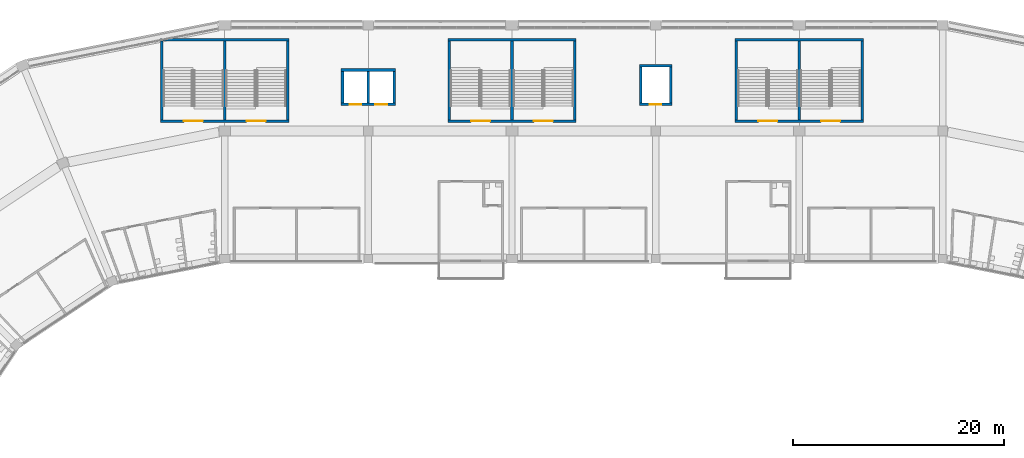
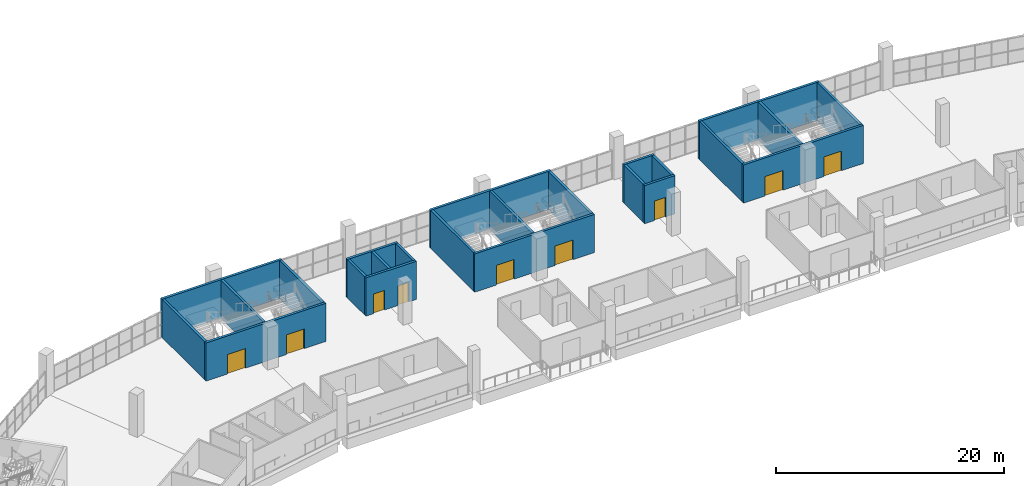
# One storey, part 85 of 199: 24 walls, 9 doors, 9 openings.
"""IFC4 building model written with IfcOpenShell, lengths in metres."""

from ifc_helpers import new_model, si_unit, direction, frame, frame_2d, origin, place, context, subcontext, project, spatial, rectangle, extrude, material, layer, layer_set, type_object, element, fill, save


model = new_model("IFC4")

# Units and contexts
model_context = context("Model", 3, precision=1e-05, world=origin(), true_north=direction((0.0, 1.0)))
body_context = subcontext(model_context, "Body", "Model", "MODEL_VIEW")
ifc_project = project(units=[si_unit("LENGTHUNIT", "METRE"), si_unit("AREAUNIT", "SQUARE_METRE"), si_unit("VOLUMEUNIT", "CUBIC_METRE"), si_unit("PLANEANGLEUNIT", "RADIAN"), si_unit("MASSUNIT", "GRAM", prefix="KILO")], contexts=[model_context])

# Site, building, storey
site_placement = place(None, origin())
site = spatial("IfcSite", under=ifc_project, at=site_placement, CompositionType="ELEMENT")
building_placement = place(site_placement, origin())
building = spatial("IfcBuilding", under=site, at=building_placement, Name="Ogive Plaza Stadium", CompositionType="ELEMENT")
storey_placement = place(building_placement, frame((0.0, 0.0, 9.0)))
storey = spatial("IfcBuildingStorey", under=building, at=storey_placement, Name="L02", CompositionType="ELEMENT", Elevation=9.0)

# Wall, openings, doors
ifc_material_1 = material(Name="Concrete C40/50", Category="concrete")
ifc_layer = layer(ifc_material_1, 0.25)
ifc_layer_set = layer_set([ifc_layer], Name="Concrete C40/50")
wall_type = type_object("IfcWallType", Name="Core wall 250", PredefinedType="SHEAR", material=ifc_layer_set)
wall_1_placement = place(storey_placement, frame((-27.925048828125, 93.425048828125, 0.0), z_axis=(0.0, 0.0, 1.0), x_axis=(-1.0, 0.0, 0.0)))
wall_1 = element("IfcWall", 1, at=wall_1_placement, inside=storey, type_object=wall_type, Name="Stair core R32 inner wall", PredefinedType="SHEAR", context=body_context, shape_type="SweptSolid", body=[
    extrude(rectangle(XDim=12.14990234375, YDim=0.25, at=frame_2d((6.074951171875, 0.0))), origin(), (0.0, 0.0, 1.0), 4.090087890625),
])
opening_1_placement = place(wall_1_placement, frame((2.199951171875, 0.0, 0.0)))
opening_1 = element("IfcOpeningElement", 2, at=opening_1_placement, cuts=wall_1, Name="Opening D0239", PredefinedType="OPENING", context=body_context, shape_type="SweptSolid", body=[
    extrude(rectangle(XDim=1.800048828125, YDim=2.10009765625, at=frame_2d((0.89990234375, 1.050048828125))), frame((0.0, 0.125, 0.0), z_axis=(0.0, -1.0, 0.0), x_axis=(1.0, 0.0, 0.0)), (0.0, 0.0, 1.0), 0.25),
])
opening_2_placement = place(wall_1_placement, frame((8.14990234375, 0.0, 0.0)))
opening_2 = element("IfcOpeningElement", 3, at=opening_2_placement, cuts=wall_1, Name="Opening D0240", PredefinedType="OPENING", context=body_context, shape_type="SweptSolid", body=[
    extrude(rectangle(XDim=1.800048828125, YDim=2.10009765625, at=frame_2d((0.89990234375, 1.050048828125))), frame((0.0, 0.125, 0.0), z_axis=(0.0, -1.0, 0.0), x_axis=(1.0, 0.0, 0.0)), (0.0, 0.0, 1.0), 0.25),
])
ifc_material_2 = material(Name="Steel ASTM A572 Grade 50", Category="steel")
door_type_1 = type_object("IfcDoorType", Name="Fire door FD90 pair 1800 x 2100", OperationType="DOUBLE_DOOR_SINGLE_SWING", PredefinedType="DOOR", material=ifc_material_2)
door_1_placement = place(opening_1_placement, origin())
door_1 = element("IfcDoor", 4, at=door_1_placement, inside=storey, type_object=door_type_1, Name="Exit stair R32A door L02", OperationType="DOUBLE_DOOR_SINGLE_SWING", OverallHeight=2.10009765625, OverallWidth=1.800048828125, PredefinedType="DOOR", context=body_context, shape_type="SweptSolid", body=[
    extrude(rectangle(XDim=1.800048828125, YDim=2.10009765625, at=frame_2d((0.89990234375, 1.050048828125))), frame((0.0, 0.02490234375, 0.0), z_axis=(0.0, -1.0, 0.0), x_axis=(1.0, 0.0, 0.0)), (0.0, 0.0, 1.0), 0.050048828125),
])
fill(opening_1, door_1)
door_2_placement = place(opening_2_placement, origin())
door_2 = element("IfcDoor", 5, at=door_2_placement, inside=storey, type_object=door_type_1, Name="Exit stair R32B door L02", OperationType="DOUBLE_DOOR_SINGLE_SWING", OverallHeight=2.10009765625, OverallWidth=1.800048828125, PredefinedType="DOOR", context=body_context, shape_type="SweptSolid", body=[
    extrude(rectangle(XDim=1.800048828125, YDim=2.10009765625, at=frame_2d((0.89990234375, 1.050048828125))), frame((0.0, 0.02490234375, 0.0), z_axis=(0.0, -1.0, 0.0), x_axis=(1.0, 0.0, 0.0)), (0.0, 0.0, 1.0), 0.050048828125),
])
fill(opening_2, door_2)

# Walls
wall_2_placement = place(storey_placement, frame((-27.925048828125, 101.135009765625, 0.0), z_axis=(0.0, 0.0, 1.0), x_axis=(-1.0, 0.0, 0.0)))
element("IfcWall", 6, at=wall_2_placement, inside=storey, type_object=wall_type, Name="Stair core R32 outer wall", PredefinedType="SHEAR", context=body_context, shape_type="SweptSolid", body=[
    extrude(rectangle(XDim=12.14990234375, YDim=0.25, at=frame_2d((6.074951171875, 0.0))), origin(), (0.0, 0.0, 1.0), 4.090087890625),
])
for number, where, z_axis, x_axis, name in (
    (7, (-28.050048828125, 93.550048828125, 0.0), (0.0, 0.0, 1.0), (0.0, 1.0, 0.0), "Stair core R32 side wall"),
    (8, (-39.949951171875, 93.550048828125, 0.0), (0.0, 0.0, 1.0), (0.0, 1.0, 0.0), "Stair core R32 side wall"),
    (9, (-34.0, 93.550048828125, 0.0), (0.0, 0.0, 1.0), (0.0, 1.0, 0.0), "Stair core R32 centre wall"),
):
    element("IfcWall", number, at=place(storey_placement, frame(where, z_axis=z_axis, x_axis=x_axis)), inside=storey, type_object=wall_type, Name=name, PredefinedType="SHEAR", context=body_context, shape_type="SweptSolid", body=[
        extrude(rectangle(XDim=7.4599609375, YDim=0.25, at=frame_2d((3.72998046875, 0.0))), origin(), (0.0, 0.0, 1.0), 4.090087890625),
    ])

# Wall, openings, doors
wall_3_placement = place(storey_placement, frame((-0.72509765625, 93.425048828125, 0.0), z_axis=(0.0, 0.0, 1.0), x_axis=(-1.0, 0.0, 0.0)))
wall_3 = element("IfcWall", 10, at=wall_3_placement, inside=storey, type_object=wall_type, Name="Stair core R34 inner wall", PredefinedType="SHEAR", context=body_context, shape_type="SweptSolid", body=[
    extrude(rectangle(XDim=12.14990234375, YDim=0.25, at=frame_2d((6.074951171875, 0.0))), origin(), (0.0, 0.0, 1.0), 4.090087890625),
])
opening_3_placement = place(wall_3_placement, frame((2.199951171875, 0.0, 0.0)))
opening_3 = element("IfcOpeningElement", 11, at=opening_3_placement, cuts=wall_3, Name="Opening D0251", PredefinedType="OPENING", context=body_context, shape_type="SweptSolid", body=[
    extrude(rectangle(XDim=1.800048828125, YDim=2.10009765625, at=frame_2d((0.89990234375, 1.050048828125))), frame((0.0, 0.125, 0.0), z_axis=(0.0, -1.0, 0.0), x_axis=(1.0, 0.0, 0.0)), (0.0, 0.0, 1.0), 0.25),
])
opening_4_placement = place(wall_3_placement, frame((8.14990234375, 0.0, 0.0)))
opening_4 = element("IfcOpeningElement", 12, at=opening_4_placement, cuts=wall_3, Name="Opening D0252", PredefinedType="OPENING", context=body_context, shape_type="SweptSolid", body=[
    extrude(rectangle(XDim=1.800048828125, YDim=2.10009765625, at=frame_2d((0.89990234375, 1.050048828125))), frame((0.0, 0.125, 0.0), z_axis=(0.0, -1.0, 0.0), x_axis=(1.0, 0.0, 0.0)), (0.0, 0.0, 1.0), 0.25),
])
door_3_placement = place(opening_3_placement, origin())
door_3 = element("IfcDoor", 13, at=door_3_placement, inside=storey, type_object=door_type_1, Name="Exit stair R34A door L02", OperationType="DOUBLE_DOOR_SINGLE_SWING", OverallHeight=2.10009765625, OverallWidth=1.800048828125, PredefinedType="DOOR", context=body_context, shape_type="SweptSolid", body=[
    extrude(rectangle(XDim=1.800048828125, YDim=2.10009765625, at=frame_2d((0.89990234375, 1.050048828125))), frame((0.0, 0.02490234375, 0.0), z_axis=(0.0, -1.0, 0.0), x_axis=(1.0, 0.0, 0.0)), (0.0, 0.0, 1.0), 0.050048828125),
])
fill(opening_3, door_3)
door_4_placement = place(opening_4_placement, origin())
door_4 = element("IfcDoor", 14, at=door_4_placement, inside=storey, type_object=door_type_1, Name="Exit stair R34B door L02", OperationType="DOUBLE_DOOR_SINGLE_SWING", OverallHeight=2.10009765625, OverallWidth=1.800048828125, PredefinedType="DOOR", context=body_context, shape_type="SweptSolid", body=[
    extrude(rectangle(XDim=1.800048828125, YDim=2.10009765625, at=frame_2d((0.89990234375, 1.050048828125))), frame((0.0, 0.02490234375, 0.0), z_axis=(0.0, -1.0, 0.0), x_axis=(1.0, 0.0, 0.0)), (0.0, 0.0, 1.0), 0.050048828125),
])
fill(opening_4, door_4)

# Walls
wall_4_placement = place(storey_placement, frame((-0.72509765625, 101.135009765625, 0.0), z_axis=(0.0, 0.0, 1.0), x_axis=(-1.0, 0.0, 0.0)))
element("IfcWall", 15, at=wall_4_placement, inside=storey, type_object=wall_type, Name="Stair core R34 outer wall", PredefinedType="SHEAR", context=body_context, shape_type="SweptSolid", body=[
    extrude(rectangle(XDim=12.14990234375, YDim=0.25, at=frame_2d((6.074951171875, 0.0))), origin(), (0.0, 0.0, 1.0), 4.090087890625),
])
for number, where, z_axis, x_axis, name in (
    (16, (-0.85009765625, 93.550048828125, 0.0), (0.0, 0.0, 1.0), (0.0, 1.0, 0.0), "Stair core R34 side wall"),
    (17, (-12.75, 93.550048828125, 0.0), (0.0, 0.0, 1.0), (0.0, 1.0, 0.0), "Stair core R34 side wall"),
    (18, (-6.800048828125, 93.550048828125, 0.0), (0.0, 0.0, 1.0), (0.0, 1.0, 0.0), "Stair core R34 centre wall"),
):
    element("IfcWall", number, at=place(storey_placement, frame(where, z_axis=z_axis, x_axis=x_axis)), inside=storey, type_object=wall_type, Name=name, PredefinedType="SHEAR", context=body_context, shape_type="SweptSolid", body=[
        extrude(rectangle(XDim=7.4599609375, YDim=0.25, at=frame_2d((3.72998046875, 0.0))), origin(), (0.0, 0.0, 1.0), 4.090087890625),
    ])

# Wall, openings, doors
wall_5_placement = place(storey_placement, frame((26.47509765625, 93.425048828125, 0.0), z_axis=(0.0, 0.0, 1.0), x_axis=(-1.0, 0.0, 0.0)))
wall_5 = element("IfcWall", 19, at=wall_5_placement, inside=storey, type_object=wall_type, Name="Stair core R36 inner wall", PredefinedType="SHEAR", context=body_context, shape_type="SweptSolid", body=[
    extrude(rectangle(XDim=12.150146484375, YDim=0.25, at=frame_2d((6.0751953125, 0.0))), origin(), (0.0, 0.0, 1.0), 4.090087890625),
])
opening_5_placement = place(wall_5_placement, frame((2.199951171875, 0.0, 0.0)))
opening_5 = element("IfcOpeningElement", 20, at=opening_5_placement, cuts=wall_5, Name="Opening D0265", PredefinedType="OPENING", context=body_context, shape_type="SweptSolid", body=[
    extrude(rectangle(XDim=1.800048828125, YDim=2.10009765625, at=frame_2d((0.89990234375, 1.050048828125))), frame((0.0, 0.125, 0.0), z_axis=(0.0, -1.0, 0.0), x_axis=(1.0, 0.0, 0.0)), (0.0, 0.0, 1.0), 0.25),
])
opening_6_placement = place(wall_5_placement, frame((8.14990234375, 0.0, 0.0)))
opening_6 = element("IfcOpeningElement", 21, at=opening_6_placement, cuts=wall_5, Name="Opening D0266", PredefinedType="OPENING", context=body_context, shape_type="SweptSolid", body=[
    extrude(rectangle(XDim=1.800048828125, YDim=2.10009765625, at=frame_2d((0.89990234375, 1.050048828125))), frame((0.0, 0.125, 0.0), z_axis=(0.0, -1.0, 0.0), x_axis=(1.0, 0.0, 0.0)), (0.0, 0.0, 1.0), 0.25),
])
door_5_placement = place(opening_5_placement, origin())
door_5 = element("IfcDoor", 22, at=door_5_placement, inside=storey, type_object=door_type_1, Name="Exit stair R36A door L02", OperationType="DOUBLE_DOOR_SINGLE_SWING", OverallHeight=2.10009765625, OverallWidth=1.800048828125, PredefinedType="DOOR", context=body_context, shape_type="SweptSolid", body=[
    extrude(rectangle(XDim=1.800048828125, YDim=2.10009765625, at=frame_2d((0.89990234375, 1.050048828125))), frame((0.0, 0.02490234375, 0.0), z_axis=(0.0, -1.0, 0.0), x_axis=(1.0, 0.0, 0.0)), (0.0, 0.0, 1.0), 0.050048828125),
])
fill(opening_5, door_5)
door_6_placement = place(opening_6_placement, origin())
door_6 = element("IfcDoor", 23, at=door_6_placement, inside=storey, type_object=door_type_1, Name="Exit stair R36B door L02", OperationType="DOUBLE_DOOR_SINGLE_SWING", OverallHeight=2.10009765625, OverallWidth=1.800048828125, PredefinedType="DOOR", context=body_context, shape_type="SweptSolid", body=[
    extrude(rectangle(XDim=1.800048828125, YDim=2.10009765625, at=frame_2d((0.89990234375, 1.050048828125))), frame((0.0, 0.02490234375, 0.0), z_axis=(0.0, -1.0, 0.0), x_axis=(1.0, 0.0, 0.0)), (0.0, 0.0, 1.0), 0.050048828125),
])
fill(opening_6, door_6)

# Walls
wall_6_placement = place(storey_placement, frame((26.47509765625, 101.135009765625, 0.0), z_axis=(0.0, 0.0, 1.0), x_axis=(-1.0, 0.0, 0.0)))
element("IfcWall", 24, at=wall_6_placement, inside=storey, type_object=wall_type, Name="Stair core R36 outer wall", PredefinedType="SHEAR", context=body_context, shape_type="SweptSolid", body=[
    extrude(rectangle(XDim=12.150146484375, YDim=0.25, at=frame_2d((6.0751953125, 0.0))), origin(), (0.0, 0.0, 1.0), 4.090087890625),
])
for number, where, z_axis, x_axis, name in (
    (25, (26.35009765625, 93.550048828125, 0.0), (0.0, 0.0, 1.0), (0.0, 1.0, 0.0), "Stair core R36 side wall"),
    (26, (14.449951171875, 93.550048828125, 0.0), (0.0, 0.0, 1.0), (0.0, 1.0, 0.0), "Stair core R36 side wall"),
    (27, (20.39990234375, 93.550048828125, 0.0), (0.0, 0.0, 1.0), (0.0, 1.0, 0.0), "Stair core R36 centre wall"),
):
    element("IfcWall", number, at=place(storey_placement, frame(where, z_axis=z_axis, x_axis=x_axis)), inside=storey, type_object=wall_type, Name=name, PredefinedType="SHEAR", context=body_context, shape_type="SweptSolid", body=[
        extrude(rectangle(XDim=7.4599609375, YDim=0.25, at=frame_2d((3.72998046875, 0.0))), origin(), (0.0, 0.0, 1.0), 4.090087890625),
    ])

# Wall, openings, doors
wall_7_placement = place(storey_placement, frame((-17.824951171875, 95.02490234375, 0.0), z_axis=(0.0, 0.0, 1.0), x_axis=(-1.0, 0.0, 0.0)))
wall_7 = element("IfcWall", 28, at=wall_7_placement, inside=storey, type_object=wall_type, Name="Lift core LP33 landing wall", PredefinedType="SHEAR", context=body_context, shape_type="SweptSolid", body=[
    extrude(rectangle(XDim=5.150146484375, YDim=0.25, at=frame_2d((2.5751953125, 0.0))), origin(), (0.0, 0.0, 1.0), 4.090087890625),
])
opening_7_placement = place(wall_7_placement, frame((0.800048828125, 0.0, 0.0)))
opening_7 = element("IfcOpeningElement", 29, at=opening_7_placement, cuts=wall_7, Name="Opening LD076", PredefinedType="OPENING", context=body_context, shape_type="SweptSolid", body=[
    extrude(rectangle(XDim=1.10009765625, YDim=2.10009765625, at=frame_2d((0.550048828125, 1.050048828125))), frame((0.0, 0.125, 0.0), z_axis=(0.0, -1.0, 0.0), x_axis=(1.0, 0.0, 0.0)), (0.0, 0.0, 1.0), 0.25),
])
opening_8_placement = place(wall_7_placement, frame((3.25, 0.0, 0.0)))
opening_8 = element("IfcOpeningElement", 30, at=opening_8_placement, cuts=wall_7, Name="Opening LD077", PredefinedType="OPENING", context=body_context, shape_type="SweptSolid", body=[
    extrude(rectangle(XDim=1.10009765625, YDim=2.10009765625, at=frame_2d((0.550048828125, 1.050048828125))), frame((0.0, 0.125, 0.0), z_axis=(0.0, -1.0, 0.0), x_axis=(1.0, 0.0, 0.0)), (0.0, 0.0, 1.0), 0.25),
])
ifc_material_3 = material(Name="Steel ASTM A572 Grade 50", Category="steel")
door_type_2 = type_object("IfcDoorType", Name="Landing door 1100 x 2100", OperationType="SLIDING_TO_LEFT", PredefinedType="DOOR", material=ifc_material_3)
door_7_placement = place(opening_7_placement, origin())
door_7 = element("IfcDoor", 31, at=door_7_placement, inside=storey, type_object=door_type_2, Name="Lift landing door LP33 L02", OperationType="SLIDING_TO_LEFT", OverallHeight=2.10009765625, OverallWidth=1.10009765625, PredefinedType="DOOR", context=body_context, shape_type="SweptSolid", body=[
    extrude(rectangle(XDim=1.10009765625, YDim=2.10009765625, at=frame_2d((0.550048828125, 1.050048828125))), frame((0.0, 0.02490234375, 0.0), z_axis=(0.0, -1.0, 0.0), x_axis=(1.0, 0.0, 0.0)), (0.0, 0.0, 1.0), 0.050048828125),
])
fill(opening_7, door_7)
door_8_placement = place(opening_8_placement, origin())
door_8 = element("IfcDoor", 32, at=door_8_placement, inside=storey, type_object=door_type_2, Name="Lift landing door LP33 L02", OperationType="SLIDING_TO_LEFT", OverallHeight=2.10009765625, OverallWidth=1.10009765625, PredefinedType="DOOR", context=body_context, shape_type="SweptSolid", body=[
    extrude(rectangle(XDim=1.10009765625, YDim=2.10009765625, at=frame_2d((0.550048828125, 1.050048828125))), frame((0.0, 0.02490234375, 0.0), z_axis=(0.0, -1.0, 0.0), x_axis=(1.0, 0.0, 0.0)), (0.0, 0.0, 1.0), 0.050048828125),
])
fill(opening_8, door_8)

# Walls
wall_8_placement = place(storey_placement, frame((-17.824951171875, 98.27490234375, 0.0), z_axis=(0.0, 0.0, 1.0), x_axis=(-1.0, 0.0, 0.0)))
element("IfcWall", 33, at=wall_8_placement, inside=storey, type_object=wall_type, Name="Lift core LP33 rear wall", PredefinedType="SHEAR", context=body_context, shape_type="SweptSolid", body=[
    extrude(rectangle(XDim=5.150146484375, YDim=0.25, at=frame_2d((2.5751953125, 0.0))), origin(), (0.0, 0.0, 1.0), 4.090087890625),
])
for number, where, z_axis, x_axis, name in (
    (34, (-17.949951171875, 95.14990234375, 0.0), (0.0, 0.0, 1.0), (0.0, 1.0, 0.0), "Lift core LP33 side wall"),
    (35, (-22.85009765625, 95.14990234375, 0.0), (0.0, 0.0, 1.0), (0.0, 1.0, 0.0), "Lift core LP33 side wall"),
    (36, (-20.39990234375, 95.14990234375, 0.0), (0.0, 0.0, 1.0), (0.0, 1.0, 0.0), "Lift core LP33 centre wall"),
):
    element("IfcWall", number, at=place(storey_placement, frame(where, z_axis=z_axis, x_axis=x_axis)), inside=storey, type_object=wall_type, Name=name, PredefinedType="SHEAR", context=body_context, shape_type="SweptSolid", body=[
        extrude(rectangle(XDim=3.0, YDim=0.25, at=frame_2d((1.5, 0.0))), origin(), (0.0, 0.0, 1.0), 4.090087890625),
    ])

# Wall, opening, door
wall_9_placement = place(storey_placement, frame((8.35009765625, 95.02490234375, 0.0), z_axis=(0.0, 0.0, 1.0), x_axis=(-1.0, 0.0, 0.0)))
wall_9 = element("IfcWall", 37, at=wall_9_placement, inside=storey, type_object=wall_type, Name="Lift core LS35 landing wall", PredefinedType="SHEAR", context=body_context, shape_type="SweptSolid", body=[
    extrude(rectangle(XDim=3.10009765625, YDim=0.25, at=frame_2d((1.550048828125, 0.0))), origin(), (0.0, 0.0, 1.0), 4.090087890625),
])
opening_9_placement = place(wall_9_placement, frame((1.0, 0.0, 0.0)))
opening_9 = element("IfcOpeningElement", 38, at=opening_9_placement, cuts=wall_9, Name="Opening LD087", PredefinedType="OPENING", context=body_context, shape_type="SweptSolid", body=[
    extrude(rectangle(XDim=1.10009765625, YDim=2.10009765625, at=frame_2d((0.550048828125, 1.050048828125))), frame((0.0, 0.125, 0.0), z_axis=(0.0, -1.0, 0.0), x_axis=(1.0, 0.0, 0.0)), (0.0, 0.0, 1.0), 0.25),
])
door_9_placement = place(opening_9_placement, origin())
door_9 = element("IfcDoor", 39, at=door_9_placement, inside=storey, type_object=door_type_2, Name="Lift landing door LS35 L02", OperationType="SLIDING_TO_LEFT", OverallHeight=2.10009765625, OverallWidth=1.10009765625, PredefinedType="DOOR", context=body_context, shape_type="SweptSolid", body=[
    extrude(rectangle(XDim=1.10009765625, YDim=2.10009765625, at=frame_2d((0.550048828125, 1.050048828125))), frame((0.0, 0.02490234375, 0.0), z_axis=(0.0, -1.0, 0.0), x_axis=(1.0, 0.0, 0.0)), (0.0, 0.0, 1.0), 0.050048828125),
])
fill(opening_9, door_9)

# Walls
wall_10_placement = place(storey_placement, frame((8.35009765625, 98.675048828125, 0.0), z_axis=(0.0, 0.0, 1.0), x_axis=(-1.0, 0.0, 0.0)))
element("IfcWall", 40, at=wall_10_placement, inside=storey, type_object=wall_type, Name="Lift core LS35 rear wall", PredefinedType="SHEAR", context=body_context, shape_type="SweptSolid", body=[
    extrude(rectangle(XDim=3.10009765625, YDim=0.25, at=frame_2d((1.550048828125, 0.0))), origin(), (0.0, 0.0, 1.0), 4.090087890625),
])
for number, where, z_axis, x_axis, name in (
    (41, (8.22509765625, 95.14990234375, 0.0), (0.0, 0.0, 1.0), (0.0, 1.0, 0.0), "Lift core LS35 side wall"),
    (42, (5.375, 95.14990234375, 0.0), (0.0, 0.0, 1.0), (0.0, 1.0, 0.0), "Lift core LS35 side wall"),
):
    element("IfcWall", number, at=place(storey_placement, frame(where, z_axis=z_axis, x_axis=x_axis)), inside=storey, type_object=wall_type, Name=name, PredefinedType="SHEAR", context=body_context, shape_type="SweptSolid", body=[
        extrude(rectangle(XDim=3.400146484375, YDim=0.25, at=frame_2d((1.7001953125, 0.0))), origin(), (0.0, 0.0, 1.0), 4.090087890625),
    ])

save(model, "model.ifc")
